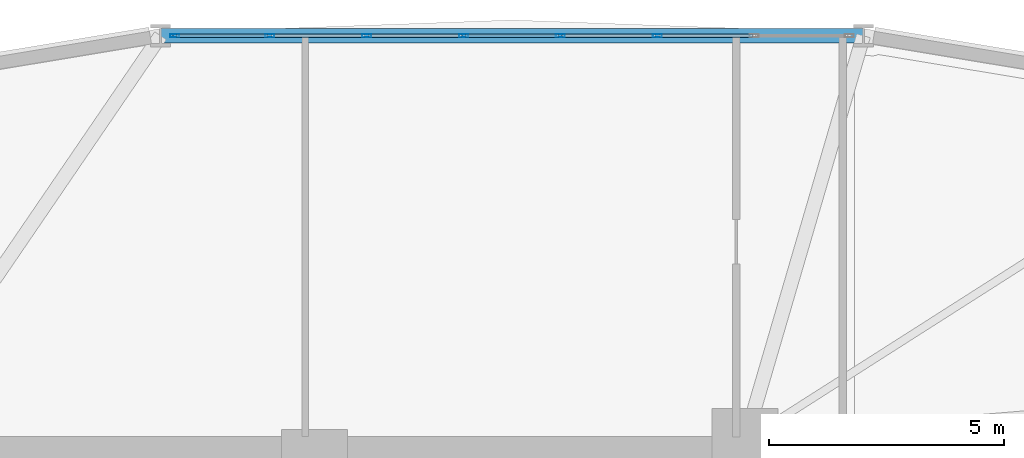
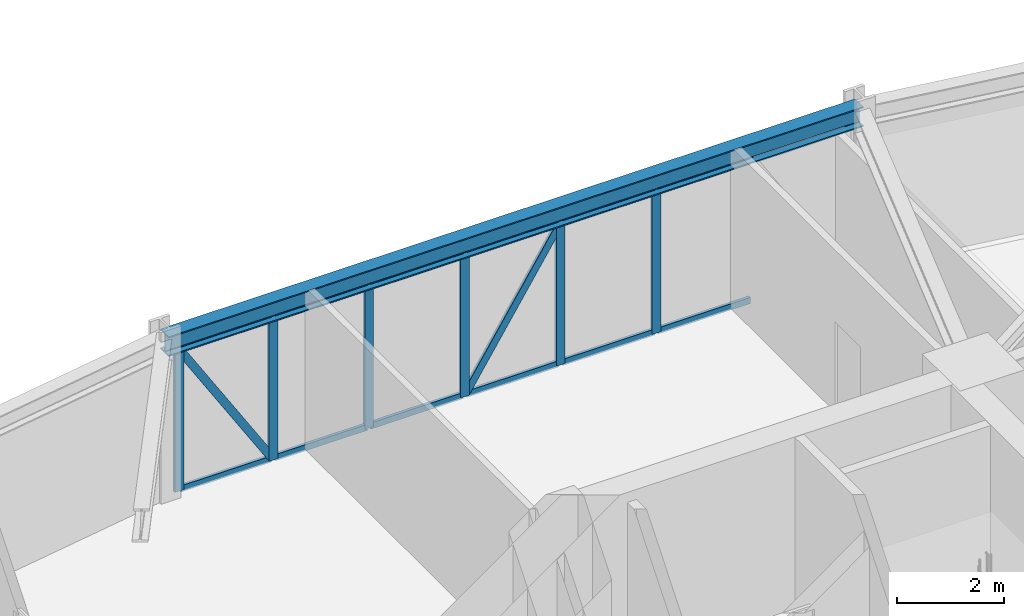
# One storey, part 10 of 20: 20 members, 1 beam, 1 element without a shape of its own.
"""IFC4 building model written with IfcOpenShell, lengths in metres."""

from ifc_helpers import new_model, si_unit, derived_unit, direction, frame, origin, origin_2d, place, context, subcontext, project, spatial, hollow_rectangle, i_section, extrude, source, transform, mapped, material, layer, layer_set, material_profile, profile_set, type_object, element, aggregate, save


model = new_model("IFC4")

# Units and contexts
model_context = context("Model", 3, precision=1e-05, world=origin(), true_north=direction((0.0, 1.0)))
body_context = subcontext(model_context, "Body", "Model", "MODEL_VIEW")
ifc_project = project(units=[si_unit("LENGTHUNIT", "METRE"), si_unit("AREAUNIT", "SQUARE_METRE"), si_unit("VOLUMEUNIT", "CUBIC_METRE"), si_unit("PLANEANGLEUNIT", "RADIAN"), si_unit("MASSUNIT", "GRAM", prefix="KILO"), derived_unit("THERMALTRANSMITTANCEUNIT", [(si_unit("POWERUNIT", "WATT"), 1), (si_unit("LENGTHUNIT", "METRE"), -2), (si_unit("THERMODYNAMICTEMPERATUREUNIT", "KELVIN"), -1)])], contexts=[model_context])

# Site, building, storey
site_placement = place(None, origin())
site = spatial("IfcSite", under=ifc_project, at=site_placement, CompositionType="ELEMENT")
building_placement = place(site_placement, origin())
building = spatial("IfcBuilding", under=site, at=building_placement, Name="Korsvarv Bourse and Concert Hall", CompositionType="ELEMENT")
storey_placement = place(building_placement, frame((0.0, 0.0, 75.60009765625)))
storey = spatial("IfcBuildingStorey", under=building, at=storey_placement, Name="L18", CompositionType="ELEMENT", Elevation=75.60009765625)

# Beam
ifc_material_1 = material(Name="Steel S355", Category="steel")
ifc_material_profile_1 = material_profile(ifc_material_1, i_section(OverallWidth=0.300048828125, OverallDepth=0.449951171875, WebThickness=0.013916015625, FlangeThickness=0.02587890625, FilletRadius=0.02099609375, at=origin_2d()), Name="HEB 450")
ifc_profile_set_1 = profile_set([ifc_material_profile_1], Name="Steel S355")
beam_type = type_object("IfcBeamType", Name="BM-HEB450", PredefinedType="SPANDREL", material=ifc_profile_set_1)
shared_shape_1 = source(origin(), body_context, "Body", "SweptSolid", [
    extrude(i_section(OverallWidth=0.300048828125, OverallDepth=0.449951171875, WebThickness=0.013916015625, FlangeThickness=0.02587890625, FilletRadius=0.02099609375, at=origin_2d()), origin(), (0.0, 0.0, 1.0), 14.9375),
])
beam_placement = place(storey_placement, frame((47.668701171875, 55.86767578125, 3.454833984375), z_axis=(-1.0, 0.0, 0.0), x_axis=(0.0, -1.0, 0.0)))
element("IfcBeam", 1, at=beam_placement, inside=storey, type_object=beam_type, Name="L18 beam B-08", PredefinedType="SPANDREL", context=body_context, shape_type="MappedRepresentation", body=[
    mapped(shared_shape_1, transform((0.0, 0.0, 0.0), scale=1.0)),
])

# Curtain wall, members
ifc_material_2 = material(Name="Anodised aluminium and triple low-E glazing", Category="glass")
ifc_layer = layer(ifc_material_2, 0.219970703125)
ifc_layer_set = layer_set([ifc_layer], Name="Anodised aluminium and triple low-E glazing")
curtain_wall_type = type_object("IfcCurtainWallType", Name="CW-SYS-1", PredefinedType="NOTDEFINED", material=ifc_layer_set)
curtain_wall_placement = place(storey_placement, origin())
curtain_wall = element("IfcCurtainWall", 2, at=curtain_wall_placement, inside=storey, type_object=curtain_wall_type, Name="L18 CW1 curtain wall CW-L18-F03", PredefinedType="NOTDEFINED")
ifc_material_3 = material(Name="Extruded aluminium EN AW-6063 T66", Category="aluminium")
ifc_material_profile_2 = material_profile(ifc_material_3, hollow_rectangle(XDim=0.070068359375, YDim=0.18994140625, WallThickness=0.0048828125, at=origin_2d()), Name="ALU-M 70x190")
ifc_profile_set_2 = profile_set([ifc_material_profile_2], Name="Extruded aluminium EN AW-6063 T66")
member_type_1 = type_object("IfcMemberType", Name="CWM-190", PredefinedType="MULLION", material=ifc_profile_set_2)
shared_shape_2 = source(origin(), body_context, "Body", "SweptSolid", [
    extrude(hollow_rectangle(XDim=0.070068359375, YDim=0.18994140625, WallThickness=0.0048828125, at=origin_2d()), origin(), (0.0, 0.0, 1.0), 3.22998046875),
])
member_1_placement = place(storey_placement, frame((43.28857421875, 55.86767578125, 0.0), z_axis=(0.0, 0.0, 1.0), x_axis=(0.0, -1.0, 0.0)))
member_1 = element("IfcMember", 3, at=member_1_placement, type_object=member_type_1, Name="CW1 mullion 3", PredefinedType="MULLION", context=body_context, shape_type="MappedRepresentation", body=[
    mapped(shared_shape_2, transform((0.0, 0.0, 0.0), scale=1.0)),
])
member_2_placement = place(storey_placement, frame((41.2294921875, 55.86767578125, 0.0), z_axis=(0.0, 0.0, 1.0), x_axis=(0.0, -1.0, 0.0)))
member_2 = element("IfcMember", 4, at=member_2_placement, type_object=member_type_1, Name="CW1 mullion 4", PredefinedType="MULLION", context=body_context, shape_type="MappedRepresentation", body=[
    mapped(shared_shape_2, transform((0.0, 0.0, 0.0), scale=1.0)),
])
member_3_placement = place(storey_placement, frame((39.17041015625, 55.86767578125, 0.0), z_axis=(0.0, 0.0, 1.0), x_axis=(0.0, -1.0, 0.0)))
member_3 = element("IfcMember", 5, at=member_3_placement, type_object=member_type_1, Name="CW1 mullion 5", PredefinedType="MULLION", context=body_context, shape_type="MappedRepresentation", body=[
    mapped(shared_shape_2, transform((0.0, 0.0, 0.0), scale=1.0)),
])
member_4_placement = place(storey_placement, frame((37.111328125, 55.86767578125, 0.0), z_axis=(0.0, 0.0, 1.0), x_axis=(0.0, -1.0, 0.0)))
member_4 = element("IfcMember", 6, at=member_4_placement, type_object=member_type_1, Name="CW1 mullion 6", PredefinedType="MULLION", context=body_context, shape_type="MappedRepresentation", body=[
    mapped(shared_shape_2, transform((0.0, 0.0, 0.0), scale=1.0)),
])
member_5_placement = place(storey_placement, frame((35.05224609375, 55.86767578125, 0.0), z_axis=(0.0, 0.0, 1.0), x_axis=(0.0, -1.0, 0.0)))
member_5 = element("IfcMember", 7, at=member_5_placement, type_object=member_type_1, Name="CW1 mullion 7", PredefinedType="MULLION", context=body_context, shape_type="MappedRepresentation", body=[
    mapped(shared_shape_2, transform((0.0, 0.0, 0.0), scale=1.0)),
])
member_6_placement = place(storey_placement, frame((33.0283203125, 55.86767578125, 0.0), z_axis=(0.0, 0.0, 1.0), x_axis=(0.0, -1.0, 0.0)))
member_6 = element("IfcMember", 8, at=member_6_placement, type_object=member_type_1, Name="CW1 mullion 8", PredefinedType="MULLION", context=body_context, shape_type="MappedRepresentation", body=[
    mapped(shared_shape_2, transform((0.0, 0.0, 0.0), scale=1.0)),
])
ifc_material_profile_3 = material_profile(ifc_material_3, hollow_rectangle(XDim=0.06494140625, YDim=0.139892578125, WallThickness=0.00390625, at=origin_2d()), Name="ALU-T 65x140")
ifc_profile_set_3 = profile_set([ifc_material_profile_3], Name="Extruded aluminium EN AW-6063 T66")
member_type_2 = type_object("IfcMemberType", Name="CWT-140", PredefinedType="USERDEFINED", material=ifc_profile_set_3)
shared_shape_3 = source(origin(), body_context, "Body", "SweptSolid", [
    extrude(hollow_rectangle(XDim=0.06494140625, YDim=0.139892578125, WallThickness=0.00390625, at=origin_2d()), origin(), (0.0, 0.0, 1.0), 1.9541015625),
])
member_7_placement = place(storey_placement, frame((35.017333984375, 55.86767578125, 0.032470703125), z_axis=(-1.0, 0.0, 0.0), x_axis=(0.0, -1.0, 0.0)))
member_7 = element("IfcMember", 9, at=member_7_placement, type_object=member_type_2, Name="CW1 transom 7.1", ObjectType="TRANSOM", PredefinedType="USERDEFINED", context=body_context, shape_type="MappedRepresentation", body=[
    mapped(shared_shape_3, transform((0.0, 0.0, 0.0), scale=1.0)),
])
member_8_placement = place(storey_placement, frame((35.017333984375, 55.86767578125, 3.197509765625), z_axis=(-1.0, 0.0, 0.0), x_axis=(0.0, -1.0, 0.0)))
member_8 = element("IfcMember", 10, at=member_8_placement, type_object=member_type_2, Name="CW1 transom 7.2", ObjectType="TRANSOM", PredefinedType="USERDEFINED", context=body_context, shape_type="MappedRepresentation", body=[
    mapped(shared_shape_3, transform((0.0, 0.0, 0.0), scale=1.0)),
])
ifc_material_profile_4 = material_profile(ifc_material_3, hollow_rectangle(XDim=0.06494140625, YDim=0.1650390625, WallThickness=0.0048828125, at=origin_2d()), Name="ALU-M 65x165")
ifc_profile_set_4 = profile_set([ifc_material_profile_4], Name="Extruded aluminium EN AW-6063 T66")
member_type_3 = type_object("IfcMemberType", Name="CWM-165", PredefinedType="MULLION", material=ifc_profile_set_4)
shared_shape_4 = source(origin(), body_context, "Body", "SweptSolid", [
    extrude(hollow_rectangle(XDim=0.06494140625, YDim=0.1650390625, WallThickness=0.0048828125, at=origin_2d()), origin(), (0.0, 0.0, 1.0), 3.664306640625),
])
member_9_placement = place(storey_placement, frame((35.017333984375, 55.86767578125, 0.06494140625), z_axis=(-0.533270866063, 0.0, 0.845944551025), x_axis=(0.0, -1.0, 0.0)))
member_9 = element("IfcMember", 11, at=member_9_placement, type_object=member_type_3, Name="CW1 diagonal mullion 7", PredefinedType="MULLION", context=body_context, shape_type="MappedRepresentation", body=[
    mapped(shared_shape_4, transform((0.0, 0.0, 0.0), scale=1.0)),
])
shared_shape_5 = source(origin(), body_context, "Body", "SweptSolid", [
    extrude(hollow_rectangle(XDim=0.06494140625, YDim=0.139892578125, WallThickness=0.00390625, at=origin_2d()), origin(), (0.0, 0.0, 1.0), 1.9892578125),
])
member_10_placement = place(storey_placement, frame((45.312744140625, 55.86767578125, 0.032470703125), z_axis=(-1.0, 0.0, 0.0), x_axis=(0.0, -1.0, 0.0)))
member_10 = element("IfcMember", 12, at=member_10_placement, type_object=member_type_2, Name="CW1 transom 2.1", ObjectType="TRANSOM", PredefinedType="USERDEFINED", context=body_context, shape_type="MappedRepresentation", body=[
    mapped(shared_shape_5, transform((0.0, 0.0, 0.0), scale=1.0)),
])
member_11_placement = place(storey_placement, frame((45.312744140625, 55.86767578125, 3.197509765625), z_axis=(-1.0, 0.0, 0.0), x_axis=(0.0, -1.0, 0.0)))
member_11 = element("IfcMember", 13, at=member_11_placement, type_object=member_type_2, Name="CW1 transom 2.2", ObjectType="TRANSOM", PredefinedType="USERDEFINED", context=body_context, shape_type="MappedRepresentation", body=[
    mapped(shared_shape_5, transform((0.0, 0.0, 0.0), scale=1.0)),
])
shared_shape_6 = source(origin(), body_context, "Body", "SweptSolid", [
    extrude(hollow_rectangle(XDim=0.06494140625, YDim=0.139892578125, WallThickness=0.00390625, at=origin_2d()), origin(), (0.0, 0.0, 1.0), 1.989013671875),
])
member_12_placement = place(storey_placement, frame((43.253662109375, 55.86767578125, 0.032470703125), z_axis=(-1.0, 0.0, 0.0), x_axis=(0.0, -1.0, 0.0)))
member_12 = element("IfcMember", 14, at=member_12_placement, type_object=member_type_2, Name="CW1 transom 3.1", ObjectType="TRANSOM", PredefinedType="USERDEFINED", context=body_context, shape_type="MappedRepresentation", body=[
    mapped(shared_shape_6, transform((0.0, 0.0, 0.0), scale=1.0)),
])
member_13_placement = place(storey_placement, frame((43.253662109375, 55.86767578125, 3.197509765625), z_axis=(-1.0, 0.0, 0.0), x_axis=(0.0, -1.0, 0.0)))
member_13 = element("IfcMember", 15, at=member_13_placement, type_object=member_type_2, Name="CW1 transom 3.2", ObjectType="TRANSOM", PredefinedType="USERDEFINED", context=body_context, shape_type="MappedRepresentation", body=[
    mapped(shared_shape_6, transform((0.0, 0.0, 0.0), scale=1.0)),
])
member_14_placement = place(storey_placement, frame((41.194580078125, 55.86767578125, 0.032470703125), z_axis=(-1.0, 0.0, 0.0), x_axis=(0.0, -1.0, 0.0)))
member_14 = element("IfcMember", 16, at=member_14_placement, type_object=member_type_2, Name="CW1 transom 4.1", ObjectType="TRANSOM", PredefinedType="USERDEFINED", context=body_context, shape_type="MappedRepresentation", body=[
    mapped(shared_shape_6, transform((0.0, 0.0, 0.0), scale=1.0)),
])
member_15_placement = place(storey_placement, frame((41.194580078125, 55.86767578125, 3.197509765625), z_axis=(-1.0, 0.0, 0.0), x_axis=(0.0, -1.0, 0.0)))
member_15 = element("IfcMember", 17, at=member_15_placement, type_object=member_type_2, Name="CW1 transom 4.2", ObjectType="TRANSOM", PredefinedType="USERDEFINED", context=body_context, shape_type="MappedRepresentation", body=[
    mapped(shared_shape_6, transform((0.0, 0.0, 0.0), scale=1.0)),
])
member_16_placement = place(storey_placement, frame((39.135498046875, 55.86767578125, 0.032470703125), z_axis=(-1.0, 0.0, 0.0), x_axis=(0.0, -1.0, 0.0)))
member_16 = element("IfcMember", 18, at=member_16_placement, type_object=member_type_2, Name="CW1 transom 5.1", ObjectType="TRANSOM", PredefinedType="USERDEFINED", context=body_context, shape_type="MappedRepresentation", body=[
    mapped(shared_shape_6, transform((0.0, 0.0, 0.0), scale=1.0)),
])
member_17_placement = place(storey_placement, frame((39.135498046875, 55.86767578125, 3.197509765625), z_axis=(-1.0, 0.0, 0.0), x_axis=(0.0, -1.0, 0.0)))
member_17 = element("IfcMember", 19, at=member_17_placement, type_object=member_type_2, Name="CW1 transom 5.2", ObjectType="TRANSOM", PredefinedType="USERDEFINED", context=body_context, shape_type="MappedRepresentation", body=[
    mapped(shared_shape_6, transform((0.0, 0.0, 0.0), scale=1.0)),
])
member_18_placement = place(storey_placement, frame((37.076416015625, 55.86767578125, 0.032470703125), z_axis=(-1.0, 0.0, 0.0), x_axis=(0.0, -1.0, 0.0)))
member_18 = element("IfcMember", 20, at=member_18_placement, type_object=member_type_2, Name="CW1 transom 6.1", ObjectType="TRANSOM", PredefinedType="USERDEFINED", context=body_context, shape_type="MappedRepresentation", body=[
    mapped(shared_shape_6, transform((0.0, 0.0, 0.0), scale=1.0)),
])
member_19_placement = place(storey_placement, frame((37.076416015625, 55.86767578125, 3.197509765625), z_axis=(-1.0, 0.0, 0.0), x_axis=(0.0, -1.0, 0.0)))
member_19 = element("IfcMember", 21, at=member_19_placement, type_object=member_type_2, Name="CW1 transom 6.2", ObjectType="TRANSOM", PredefinedType="USERDEFINED", context=body_context, shape_type="MappedRepresentation", body=[
    mapped(shared_shape_6, transform((0.0, 0.0, 0.0), scale=1.0)),
])
shared_shape_7 = source(origin(), body_context, "Body", "SweptSolid", [
    extrude(hollow_rectangle(XDim=0.06494140625, YDim=0.1650390625, WallThickness=0.0048828125, at=origin_2d()), origin(), (0.0, 0.0, 1.0), 3.68310546875),
])
member_20_placement = place(storey_placement, frame((39.20556640625, 55.86767578125, 0.06494140625), z_axis=(0.540037094407, 0.0, 0.841641216115), x_axis=(0.0, 1.0, 0.0)))
member_20 = element("IfcMember", 22, at=member_20_placement, type_object=member_type_3, Name="CW1 diagonal mullion 4", PredefinedType="MULLION", context=body_context, shape_type="MappedRepresentation", body=[
    mapped(shared_shape_7, transform((0.0, 0.0, 0.0), scale=1.0)),
])
aggregate(curtain_wall, [member_1, member_2, member_3, member_4, member_5, member_6, member_10, member_11, member_12, member_13, member_14, member_15, member_20, member_16, member_17, member_18, member_19, member_7, member_8, member_9])

save(model, "model.ifc")
